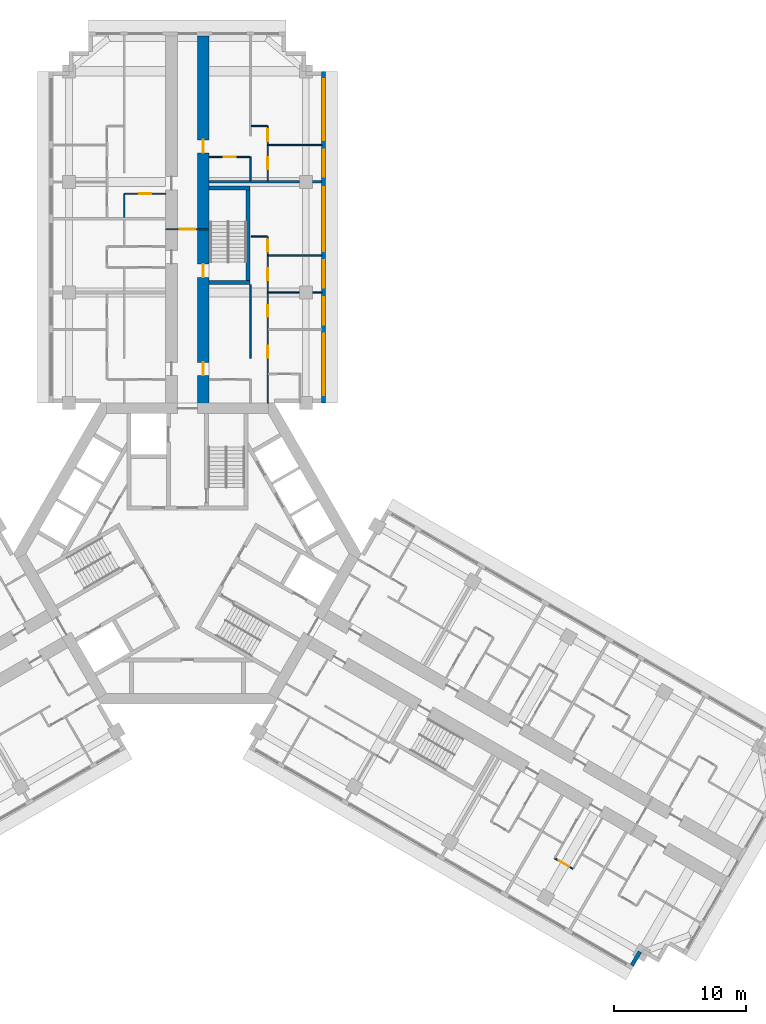
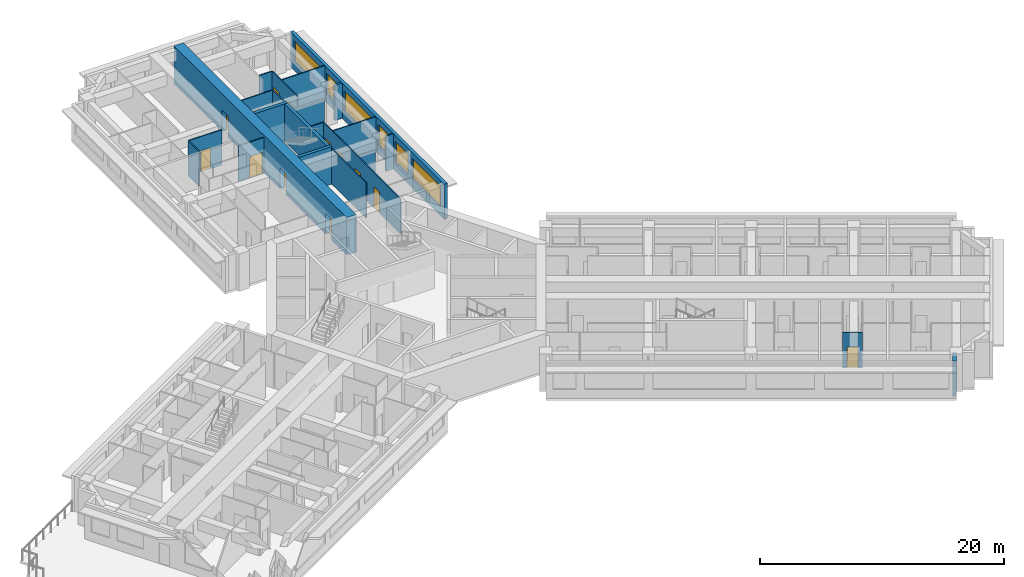
# One storey, part 10 of 15: 23 walls, 13 doors, 6 windows, 19 openings.
"""IFC4 building model written with IfcOpenShell, lengths in metres."""

import ifcopenshell
import ifcopenshell.guid

model = None  # the IFC model being written
_history = None  # IfcOwnerHistory: only IFC2X3 demands one
_inside = {}  # id of a spatial element -> (the spatial element, [elements in it])
_under = {}  # id of a project, library or spatial element -> (it, [spatial elements below it])
_declared = {}  # id of a project -> (the project, [libraries it declares])
_typed = {}  # id of a type object -> (the type object, [elements of that type])
_made_of = {}  # id of a material, layer set ... -> (it, [elements and type objects made of it])


def new_model(schema):
    """Start an empty IFC model of exactly this schema.

    Asked for "IFC4X3", IfcOpenShell would pick the latest addendum, in which some entities
    have other attributes; the version numbers below select the first issue.
    IFC2X3 requires an IfcOwnerHistory on every rooted entity: one is made here for all.
    """
    global model, _history
    if schema == "IFC4X3":
        model = ifcopenshell.file(schema_version=(4, 3, 0, 0))
    else:
        model = ifcopenshell.file(schema=schema)
    _inside.clear()
    _under.clear()
    _declared.clear()
    _typed.clear()
    _made_of.clear()
    _history = None
    if model.schema == "IFC2X3":
        org = make("IfcOrganization", Name="unknown")
        user = make(
            "IfcPersonAndOrganization",
            ThePerson=make("IfcPerson", FamilyName="unknown"),
            TheOrganization=org,
        )
        app = make(
            "IfcApplication",
            ApplicationDeveloper=org,
            Version="unknown",
            ApplicationFullName="unknown",
            ApplicationIdentifier="unknown",
        )
        _history = make(
            "IfcOwnerHistory",
            OwningUser=user,
            OwningApplication=app,
            ChangeAction="ADDED",
            CreationDate=0,
        )
    return model


def make(cls, **values):
    """One entity of the class cls with the attributes given. An attribute that is None is left unset."""
    return model.create_entity(
        cls, **{name: value for name, value in values.items() if value is not None}
    )


def rooted(cls, **values):
    """An entity with a GlobalId (a new one), such as an element, a storey or a relation."""
    return make(cls, GlobalId=ifcopenshell.guid.new(), OwnerHistory=_history, **values)


def si_unit(unit_type, name, prefix=None):
    """IfcSIUnit, for example si_unit("LENGTHUNIT", "METRE", prefix="MILLI")."""
    return make("IfcSIUnit", UnitType=unit_type, Prefix=prefix, Name=name)


def assignment(units):
    """IfcUnitAssignment: the units of a project."""
    return None if units is None else make("IfcUnitAssignment", Units=units)


def point(xyz):
    """IfcCartesianPoint."""
    return None if xyz is None else make("IfcCartesianPoint", Coordinates=xyz)


def direction(xyz):
    """IfcDirection."""
    return None if xyz is None else make("IfcDirection", DirectionRatios=xyz)


def frame(location, z_axis=None, x_axis=None):
    """IfcAxis2Placement3D, a coordinate frame: its origin and axes. An axis left out is left unset."""
    return make(
        "IfcAxis2Placement3D",
        Location=point(location),
        Axis=direction(z_axis),
        RefDirection=direction(x_axis),
    )


def frame_2d(location, x_axis=None):
    """IfcAxis2Placement2D, a coordinate frame in the plane: its origin and x axis."""
    return make(
        "IfcAxis2Placement2D", Location=point(location), RefDirection=direction(x_axis)
    )


def origin():
    """The frame at (0, 0, 0) with its axes left unset."""
    return frame((0.0, 0.0, 0.0))


def place(relative_to, where):
    """IfcLocalPlacement: puts the frame where relative to a parent placement (None: the world)."""
    return make(
        "IfcLocalPlacement", PlacementRelTo=relative_to, RelativePlacement=where
    )


def context(
    kind, dimensions, precision=None, world=None, true_north=None, identifier=None
):
    """IfcGeometricRepresentationContext, for example the 3D "Model" context."""
    return make(
        "IfcGeometricRepresentationContext",
        ContextIdentifier=identifier,
        ContextType=kind,
        CoordinateSpaceDimension=dimensions,
        Precision=precision,
        WorldCoordinateSystem=world,
        TrueNorth=true_north,
    )


def subcontext(parent, identifier, kind, view, scale=None):
    """IfcGeometricRepresentationSubContext, for example "Body" below "Model"."""
    return make(
        "IfcGeometricRepresentationSubContext",
        ContextIdentifier=identifier,
        ContextType=kind,
        ParentContext=parent,
        TargetScale=scale,
        TargetView=view,
    )


def project(units=None, contexts=None):
    """IfcProject with its units and contexts."""
    return rooted(
        "IfcProject",
        Name="project",
        RepresentationContexts=contexts,
        UnitsInContext=assignment(units),
    )


def spatial(cls, under=None, at=None, **own):
    """A site, building, storey or space (cls), placed at a placement, below another one or the project."""
    s = rooted(cls, ObjectPlacement=at, **own)
    if under is not None:
        _under.setdefault(under.id(), (under, []))[1].append(s)
    return s


def profile(cls, at=None, kind="AREA", **sizes):
    """A parametric profile (cls). Its sizes go by their IFC names, for example OverallWidth=200.0."""
    return make(cls, ProfileType=kind, Position=at, **sizes)


def rectangle(**sizes):
    """IfcRectangleProfileDef."""
    return profile("IfcRectangleProfileDef", **sizes)


def extrude(swept, where, along, depth):
    """IfcExtrudedAreaSolid: the profile swept, set in the frame where, extruded along a direction by depth."""
    return make(
        "IfcExtrudedAreaSolid",
        SweptArea=swept,
        Position=where,
        ExtrudedDirection=direction(along),
        Depth=depth,
    )


def shape(context_of_items, identifier, shape_type, items):
    """IfcShapeRepresentation: the items that make up one representation, for example the "Body"."""
    return make(
        "IfcShapeRepresentation",
        ContextOfItems=context_of_items,
        RepresentationIdentifier=identifier,
        RepresentationType=shape_type,
        Items=items,
    )


def material(Name=None, Category=None):
    """IfcMaterial."""
    return make("IfcMaterial", Name=Name, Category=Category)


def layer(
    of_material, thickness, ventilated=None, Name=None, Category=None, Priority=None
):
    """IfcMaterialLayer: one layer of a wall or slab, of a material (None: an air gap)."""
    return make(
        "IfcMaterialLayer",
        Material=of_material,
        LayerThickness=thickness,
        IsVentilated=ventilated,
        Name=Name,
        Category=Category,
        Priority=Priority,
    )


def layer_set(layers, Name=None):
    """IfcMaterialLayerSet."""
    return make("IfcMaterialLayerSet", MaterialLayers=layers, LayerSetName=Name)


def made_of(thing, what):
    """Note that an element or type object is made of a material, layer set ...; save() writes the relation."""
    if what is not None:
        _made_of.setdefault(what.id(), (what, []))[1].append(thing)
    return thing


def type_object(cls, material=None, **own):
    """A type object (cls), such as IfcWallType, which elements share."""
    return made_of(rooted(cls, **own), material)


def element(
    cls,
    number,
    at=None,
    inside=None,
    cuts=None,
    type_object=None,
    material=None,
    context=None,
    identifier="Body",
    shape_type=None,
    held_by="IfcProductDefinitionShape",
    body=None,
    shapes=None,
    **own,
):
    """One element of the class cls, such as IfcWall. Its Tag is "e" and its number.

    at: its placement. inside: the storey or other place that contains it. cuts: it is an
    opening in that element (IfcRelVoidsElement). A single representation is given by context,
    identifier, shape_type and body (its items); several are given by shapes. held_by: the class
    of the entity that holds the representations. save() writes the other relations.
    """
    e = rooted(cls, Tag="e%d" % number, ObjectPlacement=at, **own)
    if body is not None:
        shapes = [shape(context, identifier, shape_type, body)]
    if shapes is not None:
        e.Representation = make(held_by, Representations=shapes)
    if inside is not None:
        _inside.setdefault(inside.id(), (inside, []))[1].append(e)
    if cuts is not None:
        rooted(
            "IfcRelVoidsElement", RelatingBuildingElement=cuts, RelatedOpeningElement=e
        )
    if type_object is not None:
        _typed.setdefault(type_object.id(), (type_object, []))[1].append(e)
    return made_of(e, material)


def fill(opening, filler):
    """IfcRelFillsElement: the door or window that sits in an opening."""
    return rooted(
        "IfcRelFillsElement",
        RelatingOpeningElement=opening,
        RelatedBuildingElement=filler,
    )


def aggregate(whole, parts):
    """IfcRelAggregates: a whole, such as a stair, and the parts it consists of."""
    return rooted("IfcRelAggregates", RelatingObject=whole, RelatedObjects=parts)


def save(model, path):
    """Write the relations noted so far, then the file.

    IfcRelAggregates (storeys below a building ...), IfcRelContainedInSpatialStructure (elements
    in a storey), IfcRelDefinesByType, IfcRelAssociatesMaterial and IfcRelDeclares: one each for
    every whole, place, type object, material and project.
    """
    for whole, parts in _under.values():
        aggregate(whole, parts)
    for where, things in _inside.values():
        rooted(
            "IfcRelContainedInSpatialStructure",
            RelatedElements=things,
            RelatingStructure=where,
        )
    for kind, things in _typed.values():
        rooted("IfcRelDefinesByType", RelatedObjects=things, RelatingType=kind)
    for what, things in _made_of.values():
        rooted("IfcRelAssociatesMaterial", RelatedObjects=things, RelatingMaterial=what)
    for by, libraries in _declared.values():
        rooted("IfcRelDeclares", RelatingContext=by, RelatedDefinitions=libraries)
    model.write(path)


model = new_model("IFC4")

# Units and contexts
model_context = context("Model", 3, precision=1e-05, world=origin(), true_north=direction((0.0, 1.0)))
body_context = subcontext(model_context, "Body", "Model", "MODEL_VIEW")
ifc_project = project(units=[si_unit("LENGTHUNIT", "METRE"), si_unit("AREAUNIT", "SQUARE_METRE"), si_unit("VOLUMEUNIT", "CUBIC_METRE"), si_unit("PLANEANGLEUNIT", "RADIAN"), si_unit("MASSUNIT", "GRAM", prefix="KILO")], contexts=[model_context])

# Site, building, storey
site_placement = place(None, origin())
site = spatial("IfcSite", under=ifc_project, at=site_placement, CompositionType="ELEMENT")
building_placement = place(site_placement, origin())
building = spatial("IfcBuilding", under=site, at=building_placement, Name="Impinga Residences", CompositionType="ELEMENT")
storey_placement = place(building_placement, frame((0.0, 0.0, 132.25)))
storey = spatial("IfcBuildingStorey", under=building, at=storey_placement, Name="L32", CompositionType="ELEMENT", Elevation=132.25)

# Wall, openings, doors
ifc_material_1 = material(Name="Concrete C60/75", Category="concrete")
ifc_layer_1 = layer(ifc_material_1, 0.89990234375)
ifc_layer_set_1 = layer_set([ifc_layer_1], Name="Concrete C60/75")
wall_type_1 = type_object("IfcWallType", Name="BW2 corridor buttress wall, L24 to L44 900", PredefinedType="SHEAR", material=ifc_layer_set_1)
wall_1_placement = place(storey_placement, frame((1.199951171875, 11.031494140625, 0.0), z_axis=(0.0, 0.0, 1.0), x_axis=(0.0, 1.0, 0.0)))
wall_1 = element("IfcWall", 1, at=wall_1_placement, inside=storey, type_object=wall_type_1, Name="Corridor wall BW2 ND L32", PredefinedType="SHEAR", context=body_context, shape_type="SweptSolid", body=[
    extrude(rectangle(XDim=28.300048828125, YDim=0.89990234375, at=frame_2d((14.14990234375, 0.0))), origin(), (0.0, 0.0, 1.0), 3.75),
])
opening_1_placement = place(wall_1_placement, frame((9.949951171875, 0.0, 0.0)))
opening_1 = element("IfcOpeningElement", 2, at=opening_1_placement, cuts=wall_1, Name="Opening D5", PredefinedType="OPENING", context=body_context, shape_type="SweptSolid", body=[
    extrude(rectangle(XDim=1.0, YDim=2.10009765625, at=frame_2d((0.5, 1.050048828125))), frame((0.0, 0.4599609375, 0.0), z_axis=(0.0, -1.0, 0.0), x_axis=(1.0, 0.0, 0.0)), (0.0, 0.0, 1.0), 0.919921875),
])
opening_2_placement = place(wall_1_placement, frame((2.5, 0.0, 0.0)))
opening_2 = element("IfcOpeningElement", 3, at=opening_2_placement, cuts=wall_1, Name="Opening D1", PredefinedType="OPENING", context=body_context, shape_type="SweptSolid", body=[
    extrude(rectangle(XDim=1.0, YDim=2.10009765625, at=frame_2d((0.5, 1.050048828125))), frame((0.0, 0.4599609375, 0.0), z_axis=(0.0, -1.0, 0.0), x_axis=(1.0, 0.0, 0.0)), (0.0, 0.0, 1.0), 0.919921875),
])
opening_3_placement = place(wall_1_placement, frame((19.39990234375, 0.0, 0.0)))
opening_3 = element("IfcOpeningElement", 4, at=opening_3_placement, cuts=wall_1, Name="Opening D1", PredefinedType="OPENING", context=body_context, shape_type="SweptSolid", body=[
    extrude(rectangle(XDim=1.0, YDim=2.10009765625, at=frame_2d((0.5, 1.050048828125))), frame((0.0, 0.4599609375, 0.0), z_axis=(0.0, -1.0, 0.0), x_axis=(1.0, 0.0, 0.0)), (0.0, 0.0, 1.0), 0.919921875),
])
ifc_material_2 = material(Name="Timber door set", Category="wood")
door_type_1 = type_object("IfcDoorType", Name="D1 apartment entrance door 1000x2100", OperationType="SINGLE_SWING_LEFT", PredefinedType="DOOR", material=ifc_material_2)
door_1_placement = place(opening_2_placement, origin())
door_1 = element("IfcDoor", 5, at=door_1_placement, inside=storey, type_object=door_type_1, Name="Apartment L32-NF1 entrance", OperationType="SINGLE_SWING_LEFT", OverallHeight=2.10009765625, OverallWidth=1.0, PredefinedType="DOOR", context=body_context, shape_type="SweptSolid", body=[
    extrude(rectangle(XDim=1.0, YDim=2.10009765625, at=frame_2d((0.5, 1.050048828125))), frame((0.0, 0.02490234375, 0.0), z_axis=(0.0, -1.0, 0.0), x_axis=(1.0, 0.0, 0.0)), (0.0, 0.0, 1.0), 0.050048828125),
])
fill(opening_2, door_1)
door_2_placement = place(opening_3_placement, origin())
door_2 = element("IfcDoor", 6, at=door_2_placement, inside=storey, type_object=door_type_1, Name="Apartment L32-NF2 entrance", OperationType="SINGLE_SWING_RIGHT", OverallHeight=2.10009765625, OverallWidth=1.0, PredefinedType="DOOR", context=body_context, shape_type="SweptSolid", body=[
    extrude(rectangle(XDim=1.0, YDim=2.10009765625, at=frame_2d((0.5, 1.050048828125))), frame((0.0, 0.02490234375, 0.0), z_axis=(0.0, -1.0, 0.0), x_axis=(1.0, 0.0, 0.0)), (0.0, 0.0, 1.0), 0.050048828125),
])
fill(opening_3, door_2)
door_type_2 = type_object("IfcDoorType", Name="D5 stair door 1000x2100", OperationType="SINGLE_SWING_LEFT", PredefinedType="DOOR", material=ifc_material_2)
door_3_placement = place(opening_1_placement, origin())
door_3 = element("IfcDoor", 7, at=door_3_placement, inside=storey, type_object=door_type_2, Name="Wing stair door N", OperationType="SINGLE_SWING_LEFT", OverallHeight=2.10009765625, OverallWidth=1.0, PredefinedType="DOOR", context=body_context, shape_type="SweptSolid", body=[
    extrude(rectangle(XDim=1.0, YDim=2.10009765625, at=frame_2d((0.5, 1.050048828125))), frame((0.0, 0.02490234375, 0.0), z_axis=(0.0, -1.0, 0.0), x_axis=(1.0, 0.0, 0.0)), (0.0, 0.0, 1.0), 0.050048828125),
])
fill(opening_1, door_3)

# Wall, opening, door
ifc_material_3 = material(Name="Concrete blockwork", Category="masonry")
ifc_layer_2 = layer(ifc_material_3, 0.10009765625)
ifc_layer_set_2 = layer_set([ifc_layer_2], Name="CP1 core room partition, blockwork 100")
wall_type_2 = type_object("IfcWallType", Name="CP1 core room partition, blockwork 100", PredefinedType="PARTITIONING", material=ifc_layer_set_2)
wall_2_placement = place(storey_placement, frame((-1.64990234375, 24.631591796875, 0.0), z_axis=(0.0, 0.0, 1.0), x_axis=(1.0, 0.0, 0.0)))
wall_2 = element("IfcWall", 8, at=wall_2_placement, inside=storey, type_object=wall_type_2, Name="Core room partition, blockwork L32:N:PLB", PredefinedType="PARTITIONING", context=body_context, shape_type="SweptSolid", body=[
    extrude(rectangle(XDim=3.2998046875, YDim=0.10009765625, at=frame_2d((1.64990234375, 0.0))), origin(), (0.0, 0.0, 1.0), 3.530029296875),
])
opening_4_placement = place(wall_2_placement, frame((1.050048828125, 0.0, 0.0)))
opening_4 = element("IfcOpeningElement", 9, at=opening_4_placement, cuts=wall_2, Name="Opening D3", PredefinedType="OPENING", context=body_context, shape_type="SweptSolid", body=[
    extrude(rectangle(XDim=1.199951171875, YDim=2.10009765625, at=frame_2d((0.60009765625, 1.050048828125))), frame((0.0, 0.06005859375, 0.0), z_axis=(0.0, -1.0, 0.0), x_axis=(1.0, 0.0, 0.0)), (0.0, 0.0, 1.0), 0.1201171875),
])
door_type_3 = type_object("IfcDoorType", Name="D3 room door, leaf and a half 1200x2100", OperationType="DOUBLE_SWING_LEFT", PredefinedType="DOOR", material=ifc_material_2)
door_4_placement = place(opening_4_placement, origin())
door_4 = element("IfcDoor", 10, at=door_4_placement, inside=storey, type_object=door_type_3, Name="Private lobby door N", OperationType="DOUBLE_SWING_LEFT", OverallHeight=2.10009765625, OverallWidth=1.199951171875, PredefinedType="DOOR", context=body_context, shape_type="SweptSolid", body=[
    extrude(rectangle(XDim=1.199951171875, YDim=2.10009765625, at=frame_2d((0.60009765625, 1.050048828125))), frame((0.0, 0.02490234375, 0.0), z_axis=(0.0, -1.0, 0.0), x_axis=(1.0, 0.0, 0.0)), (0.0, 0.0, 1.0), 0.050048828125),
])
fill(opening_4, door_4)

# Wall
ifc_material_4 = material(Name="Terracotta rainscreen on blockwork", Category="masonry")
ifc_layer_3 = layer(ifc_material_4, 0.300048828125)
ifc_layer_set_3 = layer_set([ifc_layer_3], Name="EW1 external wall, terracotta rainscreen on blockwork 300")
wall_type_3 = type_object("IfcWallType", Name="EW1 external wall, terracotta rainscreen on blockwork 300", PredefinedType="SOLIDWALL", material=ifc_layer_set_3)
wall_3_placement = place(storey_placement, frame((34.365966796875, -30.2392578125, 0.0), z_axis=(0.0, 0.0, 1.0), x_axis=(-0.499940577336, -0.866059708757, 0.0)))
element("IfcWall", 11, at=wall_3_placement, inside=storey, type_object=wall_type_3, Name="External wall EW1 L32", PredefinedType="SOLIDWALL", context=body_context, shape_type="SweptSolid", body=[
    extrude(rectangle(XDim=1.195068359375, YDim=0.300048828125, at=frame_2d((0.59765625, 0.0))), origin(), (0.0, 0.0, 1.0), 3.530029296875),
])

# Wall, openings, windows
wall_4_placement = place(storey_placement, frame((10.35009765625, 36.631591796875, 0.0), z_axis=(0.0, 0.0, 1.0), x_axis=(0.0, -1.0, 0.0)))
wall_4 = element("IfcWall", 12, at=wall_4_placement, inside=storey, type_object=wall_type_3, Name="External wall EW1 L32", PredefinedType="SOLIDWALL", context=body_context, shape_type="SweptSolid", body=[
    extrude(rectangle(XDim=25.199951171875, YDim=0.300048828125, at=frame_2d((12.60009765625, 0.0))), origin(), (0.0, 0.0, 1.0), 3.530029296875),
])
opening_5_placement = place(wall_4_placement, frame((0.60009765625, 0.0, 0.89990234375)))
opening_5 = element("IfcOpeningElement", 13, at=opening_5_placement, cuts=wall_4, Name="Opening W10", PredefinedType="OPENING", context=body_context, shape_type="SweptSolid", body=[
    extrude(rectangle(XDim=4.64990234375, YDim=2.050048828125, at=frame_2d((2.324951171875, 1.02490234375))), frame((0.0, 0.159912109375, 0.0), z_axis=(0.0, -1.0, 0.0), x_axis=(1.0, 0.0, 0.0)), (0.0, 0.0, 1.0), 0.320068359375),
])
opening_6_placement = place(wall_4_placement, frame((5.949951171875, 0.0, 0.89990234375)))
opening_6 = element("IfcOpeningElement", 14, at=opening_6_placement, cuts=wall_4, Name="Opening W14", PredefinedType="OPENING", context=body_context, shape_type="SweptSolid", body=[
    extrude(rectangle(XDim=2.050048828125, YDim=2.050048828125, at=frame_2d((1.02490234375, 1.02490234375))), frame((0.0, 0.159912109375, 0.0), z_axis=(0.0, -1.0, 0.0), x_axis=(1.0, 0.0, 0.0)), (0.0, 0.0, 1.0), 0.320068359375),
])
opening_7_placement = place(wall_4_placement, frame((8.800048828125, 0.0, 0.89990234375)))
opening_7 = element("IfcOpeningElement", 15, at=opening_7_placement, cuts=wall_4, Name="Opening W6", PredefinedType="OPENING", context=body_context, shape_type="SweptSolid", body=[
    extrude(rectangle(XDim=4.85009765625, YDim=2.050048828125, at=frame_2d((2.425048828125, 1.02490234375))), frame((0.0, 0.159912109375, 0.0), z_axis=(0.0, -1.0, 0.0), x_axis=(1.0, 0.0, 0.0)), (0.0, 0.0, 1.0), 0.320068359375),
])
opening_8_placement = place(wall_4_placement, frame((14.35009765625, 0.0, 0.89990234375)))
opening_8 = element("IfcOpeningElement", 16, at=opening_8_placement, cuts=wall_4, Name="Opening W9", PredefinedType="OPENING", context=body_context, shape_type="SweptSolid", body=[
    extrude(rectangle(XDim=2.10009765625, YDim=2.050048828125, at=frame_2d((1.050048828125, 1.02490234375))), frame((0.0, 0.159912109375, 0.0), z_axis=(0.0, -1.0, 0.0), x_axis=(1.0, 0.0, 0.0)), (0.0, 0.0, 1.0), 0.320068359375),
])
opening_9_placement = place(wall_4_placement, frame((17.14990234375, 0.0, 0.89990234375)))
opening_9 = element("IfcOpeningElement", 17, at=opening_9_placement, cuts=wall_4, Name="Opening W9", PredefinedType="OPENING", context=body_context, shape_type="SweptSolid", body=[
    extrude(rectangle(XDim=2.10009765625, YDim=2.050048828125, at=frame_2d((1.050048828125, 1.02490234375))), frame((0.0, 0.159912109375, 0.0), z_axis=(0.0, -1.0, 0.0), x_axis=(1.0, 0.0, 0.0)), (0.0, 0.0, 1.0), 0.320068359375),
])
opening_10_placement = place(wall_4_placement, frame((19.949951171875, 0.0, 0.89990234375)))
opening_10 = element("IfcOpeningElement", 18, at=opening_10_placement, cuts=wall_4, Name="Opening W10", PredefinedType="OPENING", context=body_context, shape_type="SweptSolid", body=[
    extrude(rectangle(XDim=4.64990234375, YDim=2.050048828125, at=frame_2d((2.324951171875, 1.02490234375))), frame((0.0, 0.159912109375, 0.0), z_axis=(0.0, -1.0, 0.0), x_axis=(1.0, 0.0, 0.0)), (0.0, 0.0, 1.0), 0.320068359375),
])
ifc_material_5 = material(Name="Aluminium window, clear double glazing", Category="aluminium")
window_type_1 = type_object("IfcWindowType", Name="W10 ribbon window 4650x2050", PartitioningType="SINGLE_PANEL", PredefinedType="WINDOW", material=ifc_material_5)
window_1_placement = place(opening_5_placement, origin())
window_1 = element("IfcWindow", 19, at=window_1_placement, inside=storey, type_object=window_type_1, Name="Window L32", OverallHeight=2.050048828125, OverallWidth=4.64990234375, PartitioningType="SINGLE_PANEL", PredefinedType="WINDOW", context=body_context, shape_type="SweptSolid", body=[
    extrude(rectangle(XDim=4.64990234375, YDim=2.050048828125, at=frame_2d((2.324951171875, 1.02490234375))), frame((0.0, 0.030029296875, 0.0), z_axis=(0.0, -1.0, 0.0), x_axis=(1.0, 0.0, 0.0)), (0.0, 0.0, 1.0), 0.06005859375),
])
fill(opening_5, window_1)
window_2_placement = place(opening_10_placement, origin())
window_2 = element("IfcWindow", 20, at=window_2_placement, inside=storey, type_object=window_type_1, Name="Window L32", OverallHeight=2.050048828125, OverallWidth=4.64990234375, PartitioningType="SINGLE_PANEL", PredefinedType="WINDOW", context=body_context, shape_type="SweptSolid", body=[
    extrude(rectangle(XDim=4.64990234375, YDim=2.050048828125, at=frame_2d((2.324951171875, 1.02490234375))), frame((0.0, 0.030029296875, 0.0), z_axis=(0.0, -1.0, 0.0), x_axis=(1.0, 0.0, 0.0)), (0.0, 0.0, 1.0), 0.06005859375),
])
fill(opening_10, window_2)
window_type_2 = type_object("IfcWindowType", Name="W14 ribbon window 2050x2050", PartitioningType="SINGLE_PANEL", PredefinedType="WINDOW", material=ifc_material_5)
window_3_placement = place(opening_6_placement, origin())
window_3 = element("IfcWindow", 21, at=window_3_placement, inside=storey, type_object=window_type_2, Name="Window L32", OverallHeight=2.050048828125, OverallWidth=2.050048828125, PartitioningType="SINGLE_PANEL", PredefinedType="WINDOW", context=body_context, shape_type="SweptSolid", body=[
    extrude(rectangle(XDim=2.050048828125, YDim=2.050048828125, at=frame_2d((1.02490234375, 1.02490234375))), frame((0.0, 0.030029296875, 0.0), z_axis=(0.0, -1.0, 0.0), x_axis=(1.0, 0.0, 0.0)), (0.0, 0.0, 1.0), 0.06005859375),
])
fill(opening_6, window_3)
window_type_3 = type_object("IfcWindowType", Name="W6 ribbon window 4850x2050", PartitioningType="SINGLE_PANEL", PredefinedType="WINDOW", material=ifc_material_5)
window_4_placement = place(opening_7_placement, origin())
window_4 = element("IfcWindow", 22, at=window_4_placement, inside=storey, type_object=window_type_3, Name="Window L32", OverallHeight=2.050048828125, OverallWidth=4.85009765625, PartitioningType="SINGLE_PANEL", PredefinedType="WINDOW", context=body_context, shape_type="SweptSolid", body=[
    extrude(rectangle(XDim=4.85009765625, YDim=2.050048828125, at=frame_2d((2.425048828125, 1.02490234375))), frame((0.0, 0.030029296875, 0.0), z_axis=(0.0, -1.0, 0.0), x_axis=(1.0, 0.0, 0.0)), (0.0, 0.0, 1.0), 0.06005859375),
])
fill(opening_7, window_4)
window_type_4 = type_object("IfcWindowType", Name="W9 ribbon window 2100x2050", PartitioningType="SINGLE_PANEL", PredefinedType="WINDOW", material=ifc_material_5)
window_5_placement = place(opening_8_placement, origin())
window_5 = element("IfcWindow", 23, at=window_5_placement, inside=storey, type_object=window_type_4, Name="Window L32", OverallHeight=2.050048828125, OverallWidth=2.10009765625, PartitioningType="SINGLE_PANEL", PredefinedType="WINDOW", context=body_context, shape_type="SweptSolid", body=[
    extrude(rectangle(XDim=2.10009765625, YDim=2.050048828125, at=frame_2d((1.050048828125, 1.02490234375))), frame((0.0, 0.030029296875, 0.0), z_axis=(0.0, -1.0, 0.0), x_axis=(1.0, 0.0, 0.0)), (0.0, 0.0, 1.0), 0.06005859375),
])
fill(opening_8, window_5)
window_6_placement = place(opening_9_placement, origin())
window_6 = element("IfcWindow", 24, at=window_6_placement, inside=storey, type_object=window_type_4, Name="Window L32", OverallHeight=2.050048828125, OverallWidth=2.10009765625, PartitioningType="SINGLE_PANEL", PredefinedType="WINDOW", context=body_context, shape_type="SweptSolid", body=[
    extrude(rectangle(XDim=2.10009765625, YDim=2.050048828125, at=frame_2d((1.050048828125, 1.02490234375))), frame((0.0, 0.030029296875, 0.0), z_axis=(0.0, -1.0, 0.0), x_axis=(1.0, 0.0, 0.0)), (0.0, 0.0, 1.0), 0.06005859375),
])
fill(opening_9, window_6)

# Wall
ifc_material_6 = material(Name="Gypsum board on steel studs", Category="steel")
ifc_layer_4 = layer(ifc_material_6, 0.10009765625)
ifc_layer_set_4 = layer_set([ifc_layer_4], Name="Gypsum board on steel studs")
wall_type_4 = type_object("IfcWallType", Name="IP1 partition 100", PredefinedType="PARTITIONING", material=ifc_layer_set_4)
wall_5_placement = place(storey_placement, frame((-4.800048828125, 25.531494140625, 0.0), z_axis=(0.0, 0.0, 1.0), x_axis=(0.0, 1.0, 0.0)))
element("IfcWall", 25, at=wall_5_placement, inside=storey, type_object=wall_type_4, Name="Partition L32-NA3:DIV0", PredefinedType="PARTITIONING", context=body_context, shape_type="SweptSolid", body=[
    extrude(rectangle(XDim=1.800048828125, YDim=0.10009765625, at=frame_2d((0.89990234375, 0.0))), origin(), (0.0, 0.0, 1.0), 3.530029296875),
])

# Wall, opening, door
wall_6_placement = place(storey_placement, frame((-1.64990234375, 27.33154296875, 0.0), z_axis=(0.0, 0.0, 1.0), x_axis=(-1.0, 0.0, 0.0)))
wall_6 = element("IfcWall", 26, at=wall_6_placement, inside=storey, type_object=wall_type_4, Name="Partition L32-NA3:IB1", PredefinedType="PARTITIONING", context=body_context, shape_type="SweptSolid", body=[
    extrude(rectangle(XDim=3.10009765625, YDim=0.10009765625, at=frame_2d((1.550048828125, 0.0))), origin(), (0.0, 0.0, 1.0), 3.530029296875),
])
opening_11_placement = place(wall_6_placement, frame((1.10009765625, 0.0, 0.0)))
opening_11 = element("IfcOpeningElement", 27, at=opening_11_placement, cuts=wall_6, Name="Opening D2", PredefinedType="OPENING", context=body_context, shape_type="SweptSolid", body=[
    extrude(rectangle(XDim=0.89990234375, YDim=2.10009765625, at=frame_2d((0.449951171875, 1.050048828125))), frame((0.0, 0.06005859375, 0.0), z_axis=(0.0, -1.0, 0.0), x_axis=(1.0, 0.0, 0.0)), (0.0, 0.0, 1.0), 0.1201171875),
])
door_type_4 = type_object("IfcDoorType", Name="D2 internal door 900x2100", OperationType="SINGLE_SWING_LEFT", PredefinedType="DOOR", material=ifc_material_2)
door_5_placement = place(opening_11_placement, origin())
door_5 = element("IfcDoor", 28, at=door_5_placement, inside=storey, type_object=door_type_4, Name="Apartment L32-NA3 bathroom door", OperationType="SINGLE_SWING_LEFT", OverallHeight=2.10009765625, OverallWidth=0.89990234375, PredefinedType="DOOR", context=body_context, shape_type="SweptSolid", body=[
    extrude(rectangle(XDim=0.89990234375, YDim=2.10009765625, at=frame_2d((0.449951171875, 1.050048828125))), frame((0.0, 0.02490234375, 0.0), z_axis=(0.0, -1.0, 0.0), x_axis=(1.0, 0.0, 0.0)), (0.0, 0.0, 1.0), 0.050048828125),
])
fill(opening_11, door_5)

# Wall
wall_7_placement = place(storey_placement, frame((4.800048828125, 14.83154296875, 0.0), z_axis=(0.0, 0.0, 1.0), x_axis=(0.0, 1.0, 0.0)))
element("IfcWall", 29, at=wall_7_placement, inside=storey, type_object=wall_type_4, Name="Partition L32-NF1:DIV1", PredefinedType="PARTITIONING", context=body_context, shape_type="SweptSolid", body=[
    extrude(rectangle(XDim=5.60009765625, YDim=0.10009765625, at=frame_2d((2.800048828125, 0.0))), origin(), (0.0, 0.0, 1.0), 3.530029296875),
])

# Wall, openings, doors
wall_8_placement = place(storey_placement, frame((6.10009765625, 11.431640625, 0.0), z_axis=(0.0, 0.0, 1.0), x_axis=(0.0, 1.0, 0.0)))
wall_8 = element("IfcWall", 30, at=wall_8_placement, inside=storey, type_object=wall_type_4, Name="Partition L32-NF1:STRIP", PredefinedType="PARTITIONING", context=body_context, shape_type="SweptSolid", body=[
    extrude(rectangle(XDim=12.64990234375, YDim=0.10009765625, at=frame_2d((6.324951171875, 0.0))), origin(), (0.0, 0.0, 1.0), 3.530029296875),
])
opening_12_placement = place(wall_8_placement, frame((3.449951171875, 0.0, 0.0)))
opening_12 = element("IfcOpeningElement", 31, at=opening_12_placement, cuts=wall_8, Name="Opening D2", PredefinedType="OPENING", context=body_context, shape_type="SweptSolid", body=[
    extrude(rectangle(XDim=0.89990234375, YDim=2.10009765625, at=frame_2d((0.449951171875, 1.050048828125))), frame((0.0, 0.06005859375, 0.0), z_axis=(0.0, -1.0, 0.0), x_axis=(1.0, 0.0, 0.0)), (0.0, 0.0, 1.0), 0.1201171875),
])
opening_13_placement = place(wall_8_placement, frame((6.550048828125, 0.0, 0.0)))
opening_13 = element("IfcOpeningElement", 32, at=opening_13_placement, cuts=wall_8, Name="Opening D2", PredefinedType="OPENING", context=body_context, shape_type="SweptSolid", body=[
    extrude(rectangle(XDim=0.89990234375, YDim=2.10009765625, at=frame_2d((0.449951171875, 1.050048828125))), frame((0.0, 0.06005859375, 0.0), z_axis=(0.0, -1.0, 0.0), x_axis=(1.0, 0.0, 0.0)), (0.0, 0.0, 1.0), 0.1201171875),
])
opening_14_placement = place(wall_8_placement, frame((9.35009765625, 0.0, 0.0)))
opening_14 = element("IfcOpeningElement", 33, at=opening_14_placement, cuts=wall_8, Name="Opening D2", PredefinedType="OPENING", context=body_context, shape_type="SweptSolid", body=[
    extrude(rectangle(XDim=0.89990234375, YDim=2.10009765625, at=frame_2d((0.449951171875, 1.050048828125))), frame((0.0, 0.06005859375, 0.0), z_axis=(0.0, -1.0, 0.0), x_axis=(1.0, 0.0, 0.0)), (0.0, 0.0, 1.0), 0.1201171875),
])
opening_15_placement = place(wall_8_placement, frame((11.5, 0.0, 0.0)))
opening_15 = element("IfcOpeningElement", 34, at=opening_15_placement, cuts=wall_8, Name="Opening D2", PredefinedType="OPENING", context=body_context, shape_type="SweptSolid", body=[
    extrude(rectangle(XDim=0.89990234375, YDim=2.10009765625, at=frame_2d((0.449951171875, 1.050048828125))), frame((0.0, 0.06005859375, 0.0), z_axis=(0.0, -1.0, 0.0), x_axis=(1.0, 0.0, 0.0)), (0.0, 0.0, 1.0), 0.1201171875),
])
door_6_placement = place(opening_12_placement, origin())
door_6 = element("IfcDoor", 35, at=door_6_placement, inside=storey, type_object=door_type_4, Name="Apartment L32-NF1 room door", OperationType="SINGLE_SWING_LEFT", OverallHeight=2.10009765625, OverallWidth=0.89990234375, PredefinedType="DOOR", context=body_context, shape_type="SweptSolid", body=[
    extrude(rectangle(XDim=0.89990234375, YDim=2.10009765625, at=frame_2d((0.449951171875, 1.050048828125))), frame((0.0, 0.02490234375, 0.0), z_axis=(0.0, -1.0, 0.0), x_axis=(1.0, 0.0, 0.0)), (0.0, 0.0, 1.0), 0.050048828125),
])
fill(opening_12, door_6)
door_7_placement = place(opening_13_placement, origin())
door_7 = element("IfcDoor", 36, at=door_7_placement, inside=storey, type_object=door_type_4, Name="Apartment L32-NF1 room door", OperationType="SINGLE_SWING_RIGHT", OverallHeight=2.10009765625, OverallWidth=0.89990234375, PredefinedType="DOOR", context=body_context, shape_type="SweptSolid", body=[
    extrude(rectangle(XDim=0.89990234375, YDim=2.10009765625, at=frame_2d((0.449951171875, 1.050048828125))), frame((0.0, 0.02490234375, 0.0), z_axis=(0.0, -1.0, 0.0), x_axis=(1.0, 0.0, 0.0)), (0.0, 0.0, 1.0), 0.050048828125),
])
fill(opening_13, door_7)
door_8_placement = place(opening_14_placement, origin())
door_8 = element("IfcDoor", 37, at=door_8_placement, inside=storey, type_object=door_type_4, Name="Apartment L32-NF1 room door", OperationType="SINGLE_SWING_RIGHT", OverallHeight=2.10009765625, OverallWidth=0.89990234375, PredefinedType="DOOR", context=body_context, shape_type="SweptSolid", body=[
    extrude(rectangle(XDim=0.89990234375, YDim=2.10009765625, at=frame_2d((0.449951171875, 1.050048828125))), frame((0.0, 0.02490234375, 0.0), z_axis=(0.0, -1.0, 0.0), x_axis=(1.0, 0.0, 0.0)), (0.0, 0.0, 1.0), 0.050048828125),
])
fill(opening_14, door_8)
door_9_placement = place(opening_15_placement, origin())
door_9 = element("IfcDoor", 38, at=door_9_placement, inside=storey, type_object=door_type_4, Name="Apartment L32-NF1 room door", OperationType="SINGLE_SWING_RIGHT", OverallHeight=2.10009765625, OverallWidth=0.89990234375, PredefinedType="DOOR", context=body_context, shape_type="SweptSolid", body=[
    extrude(rectangle(XDim=0.89990234375, YDim=2.10009765625, at=frame_2d((0.449951171875, 1.050048828125))), frame((0.0, 0.02490234375, 0.0), z_axis=(0.0, -1.0, 0.0), x_axis=(1.0, 0.0, 0.0)), (0.0, 0.0, 1.0), 0.050048828125),
])
fill(opening_15, door_9)

# Walls
wall_9_placement = place(storey_placement, frame((4.85009765625, 24.08154296875, 0.0), z_axis=(0.0, 0.0, 1.0), x_axis=(1.0, 0.0, 0.0)))
element("IfcWall", 39, at=wall_9_placement, inside=storey, type_object=wall_type_4, Name="Partition L32-NF1:SE1", PredefinedType="PARTITIONING", context=body_context, shape_type="SweptSolid", body=[
    extrude(rectangle(XDim=1.199951171875, YDim=0.10009765625, at=frame_2d((0.60009765625, 0.0))), origin(), (0.0, 0.0, 1.0), 3.530029296875),
])
wall_10_placement = place(storey_placement, frame((6.14990234375, 19.83154296875, 0.0), z_axis=(0.0, 0.0, 1.0), x_axis=(1.0, 0.0, 0.0)))
element("IfcWall", 40, at=wall_10_placement, inside=storey, type_object=wall_type_4, Name="Partition L32-NF1:OB2", PredefinedType="PARTITIONING", context=body_context, shape_type="SweptSolid", body=[
    extrude(rectangle(XDim=2.35009765625, YDim=0.10009765625, at=frame_2d((1.175048828125, 0.0))), origin(), (0.0, 0.0, 1.0), 2.47998046875),
])
wall_11_placement = place(storey_placement, frame((9.5, 19.83154296875, 0.0), z_axis=(0.0, 0.0, 1.0), x_axis=(1.0, 0.0, 0.0)))
element("IfcWall", 41, at=wall_11_placement, inside=storey, type_object=wall_type_4, Name="Partition L32-NF1:OB2b", PredefinedType="PARTITIONING", context=body_context, shape_type="SweptSolid", body=[
    extrude(rectangle(XDim=0.699951171875, YDim=0.10009765625, at=frame_2d((0.35009765625, 0.0))), origin(), (0.0, 0.0, 1.0), 3.530029296875),
])
wall_12_placement = place(storey_placement, frame((6.14990234375, 22.631591796875, 0.0), z_axis=(0.0, 0.0, 1.0), x_axis=(1.0, 0.0, 0.0)))
element("IfcWall", 42, at=wall_12_placement, inside=storey, type_object=wall_type_4, Name="Partition L32-NF1:OB3", PredefinedType="PARTITIONING", context=body_context, shape_type="SweptSolid", body=[
    extrude(rectangle(XDim=4.050048828125, YDim=0.10009765625, at=frame_2d((2.02490234375, 0.0))), origin(), (0.0, 0.0, 1.0), 3.530029296875),
])
wall_13_placement = place(storey_placement, frame((4.800048828125, 28.33154296875, 0.0), z_axis=(0.0, 0.0, 1.0), x_axis=(0.0, 1.0, 0.0)))
element("IfcWall", 43, at=wall_13_placement, inside=storey, type_object=wall_type_4, Name="Partition L32-NF2:DIV0", PredefinedType="PARTITIONING", context=body_context, shape_type="SweptSolid", body=[
    extrude(rectangle(XDim=1.800048828125, YDim=0.10009765625, at=frame_2d((0.89990234375, 0.0))), origin(), (0.0, 0.0, 1.0), 3.530029296875),
])

# Wall, openings, doors
wall_14_placement = place(storey_placement, frame((6.10009765625, 28.33154296875, 0.0), z_axis=(0.0, 0.0, 1.0), x_axis=(0.0, 1.0, 0.0)))
wall_14 = element("IfcWall", 44, at=wall_14_placement, inside=storey, type_object=wall_type_4, Name="Partition L32-NF2:STRIP", PredefinedType="PARTITIONING", context=body_context, shape_type="SweptSolid", body=[
    extrude(rectangle(XDim=4.14990234375, YDim=0.10009765625, at=frame_2d((2.074951171875, 0.0))), origin(), (0.0, 0.0, 1.0), 3.530029296875),
])
opening_16_placement = place(wall_14_placement, frame((0.875, 0.0, 0.0)))
opening_16 = element("IfcOpeningElement", 45, at=opening_16_placement, cuts=wall_14, Name="Opening D2", PredefinedType="OPENING", context=body_context, shape_type="SweptSolid", body=[
    extrude(rectangle(XDim=0.89990234375, YDim=2.10009765625, at=frame_2d((0.449951171875, 1.050048828125))), frame((0.0, 0.06005859375, 0.0), z_axis=(0.0, -1.0, 0.0), x_axis=(1.0, 0.0, 0.0)), (0.0, 0.0, 1.0), 0.1201171875),
])
opening_17_placement = place(wall_14_placement, frame((3.0, 0.0, 0.0)))
opening_17 = element("IfcOpeningElement", 46, at=opening_17_placement, cuts=wall_14, Name="Opening D2", PredefinedType="OPENING", context=body_context, shape_type="SweptSolid", body=[
    extrude(rectangle(XDim=0.89990234375, YDim=2.10009765625, at=frame_2d((0.449951171875, 1.050048828125))), frame((0.0, 0.06005859375, 0.0), z_axis=(0.0, -1.0, 0.0), x_axis=(1.0, 0.0, 0.0)), (0.0, 0.0, 1.0), 0.1201171875),
])
door_10_placement = place(opening_16_placement, origin())
door_10 = element("IfcDoor", 47, at=door_10_placement, inside=storey, type_object=door_type_4, Name="Apartment L32-NF2 room door", OperationType="SINGLE_SWING_LEFT", OverallHeight=2.10009765625, OverallWidth=0.89990234375, PredefinedType="DOOR", context=body_context, shape_type="SweptSolid", body=[
    extrude(rectangle(XDim=0.89990234375, YDim=2.10009765625, at=frame_2d((0.449951171875, 1.050048828125))), frame((0.0, 0.02490234375, 0.0), z_axis=(0.0, -1.0, 0.0), x_axis=(1.0, 0.0, 0.0)), (0.0, 0.0, 1.0), 0.050048828125),
])
fill(opening_16, door_10)
door_11_placement = place(opening_17_placement, origin())
door_11 = element("IfcDoor", 48, at=door_11_placement, inside=storey, type_object=door_type_4, Name="Apartment L32-NF2 room door", OperationType="SINGLE_SWING_RIGHT", OverallHeight=2.10009765625, OverallWidth=0.89990234375, PredefinedType="DOOR", context=body_context, shape_type="SweptSolid", body=[
    extrude(rectangle(XDim=0.89990234375, YDim=2.10009765625, at=frame_2d((0.449951171875, 1.050048828125))), frame((0.0, 0.02490234375, 0.0), z_axis=(0.0, -1.0, 0.0), x_axis=(1.0, 0.0, 0.0)), (0.0, 0.0, 1.0), 0.050048828125),
])
fill(opening_17, door_11)

# Wall
wall_15_placement = place(storey_placement, frame((4.85009765625, 32.4814453125, 0.0), z_axis=(0.0, 0.0, 1.0), x_axis=(1.0, 0.0, 0.0)))
element("IfcWall", 49, at=wall_15_placement, inside=storey, type_object=wall_type_4, Name="Partition L32-NF2:SE1", PredefinedType="PARTITIONING", context=body_context, shape_type="SweptSolid", body=[
    extrude(rectangle(XDim=1.199951171875, YDim=0.10009765625, at=frame_2d((0.60009765625, 0.0))), origin(), (0.0, 0.0, 1.0), 3.530029296875),
])

# Wall, opening, door
wall_16_placement = place(storey_placement, frame((1.64990234375, 30.131591796875, 0.0), z_axis=(0.0, 0.0, 1.0), x_axis=(1.0, 0.0, 0.0)))
wall_16 = element("IfcWall", 50, at=wall_16_placement, inside=storey, type_object=wall_type_4, Name="Partition L32-NF2:IB1", PredefinedType="PARTITIONING", context=body_context, shape_type="SweptSolid", body=[
    extrude(rectangle(XDim=3.10009765625, YDim=0.10009765625, at=frame_2d((1.550048828125, 0.0))), origin(), (0.0, 0.0, 1.0), 3.530029296875),
])
opening_18_placement = place(wall_16_placement, frame((1.10009765625, 0.0, 0.0)))
opening_18 = element("IfcOpeningElement", 51, at=opening_18_placement, cuts=wall_16, Name="Opening D2", PredefinedType="OPENING", context=body_context, shape_type="SweptSolid", body=[
    extrude(rectangle(XDim=0.89990234375, YDim=2.10009765625, at=frame_2d((0.449951171875, 1.050048828125))), frame((0.0, 0.06005859375, 0.0), z_axis=(0.0, -1.0, 0.0), x_axis=(1.0, 0.0, 0.0)), (0.0, 0.0, 1.0), 0.1201171875),
])
door_12_placement = place(opening_18_placement, origin())
door_12 = element("IfcDoor", 52, at=door_12_placement, inside=storey, type_object=door_type_4, Name="Apartment L32-NF2 bathroom door", OperationType="SINGLE_SWING_LEFT", OverallHeight=2.10009765625, OverallWidth=0.89990234375, PredefinedType="DOOR", context=body_context, shape_type="SweptSolid", body=[
    extrude(rectangle(XDim=0.89990234375, YDim=2.10009765625, at=frame_2d((0.449951171875, 1.050048828125))), frame((0.0, 0.02490234375, 0.0), z_axis=(0.0, -1.0, 0.0), x_axis=(1.0, 0.0, 0.0)), (0.0, 0.0, 1.0), 0.050048828125),
])
fill(opening_18, door_12)

# Wall
wall_17_placement = place(storey_placement, frame((6.14990234375, 31.031494140625, 0.0), z_axis=(0.0, 0.0, 1.0), x_axis=(1.0, 0.0, 0.0)))
element("IfcWall", 53, at=wall_17_placement, inside=storey, type_object=wall_type_4, Name="Partition L32-NF2:OB1", PredefinedType="PARTITIONING", context=body_context, shape_type="SweptSolid", body=[
    extrude(rectangle(XDim=4.050048828125, YDim=0.10009765625, at=frame_2d((2.02490234375, 0.0))), origin(), (0.0, 0.0, 1.0), 3.530029296875),
])

# Wall, opening, door
wall_18_placement = place(storey_placement, frame((27.89453125, -23.1484375, 0.0), z_axis=(0.0, 0.0, 1.0), x_axis=(0.865989903783, -0.500061482766, 0.0)))
wall_18 = element("IfcWall", 54, at=wall_18_placement, inside=storey, type_object=wall_type_4, Name="Partition L32-EF3:STRIP", PredefinedType="PARTITIONING", context=body_context, shape_type="SweptSolid", body=[
    extrude(rectangle(XDim=1.599853515625, YDim=0.10009765625, at=frame_2d((0.7998046875, 0.0))), origin(), (0.0, 0.0, 1.0), 3.530029296875),
])
opening_19_placement = place(wall_18_placement, frame((0.35009765625, 0.0, 0.0)))
opening_19 = element("IfcOpeningElement", 55, at=opening_19_placement, cuts=wall_18, Name="Opening D2", PredefinedType="OPENING", context=body_context, shape_type="SweptSolid", body=[
    extrude(rectangle(XDim=0.89990234375, YDim=2.10009765625, at=frame_2d((0.449951171875, 1.050048828125))), frame((0.0, 0.06005859375, 0.0), z_axis=(0.0, -1.0, 0.0), x_axis=(1.0, 0.0, 0.0)), (0.0, 0.0, 1.0), 0.1201171875),
])
door_13_placement = place(opening_19_placement, origin())
door_13 = element("IfcDoor", 56, at=door_13_placement, inside=storey, type_object=door_type_4, Name="Apartment L32-EF3 room door", OperationType="SINGLE_SWING_LEFT", OverallHeight=2.10009765625, OverallWidth=0.89990234375, PredefinedType="DOOR", context=body_context, shape_type="SweptSolid", body=[
    extrude(rectangle(XDim=0.89990234375, YDim=2.10009765625, at=frame_2d((0.449951171875, 1.050048828125))), frame((0.0, 0.02490234375, 0.0), z_axis=(0.0, -1.0, 0.0), x_axis=(1.0, 0.0, 0.0)), (0.0, 0.0, 1.0), 0.050048828125),
])
fill(opening_19, door_13)

# Walls
ifc_layer_5 = layer(ifc_material_3, 0.199951171875)
ifc_layer_set_5 = layer_set([ifc_layer_5], Name="PW1 party wall between apartments 200")
wall_type_5 = type_object("IfcWallType", Name="PW1 party wall between apartments 200", PredefinedType="SOLIDWALL", material=ifc_layer_set_5)
wall_19_placement = place(storey_placement, frame((1.64990234375, 28.2314453125, 0.0), z_axis=(0.0, 0.0, 1.0), x_axis=(1.0, 0.0, 0.0)))
element("IfcWall", 57, at=wall_19_placement, inside=storey, type_object=wall_type_5, Name="Party wall between apartments L32-NF1:PARTY", PredefinedType="SOLIDWALL", context=body_context, shape_type="SweptSolid", body=[
    extrude(rectangle(XDim=6.85009765625, YDim=0.199951171875, at=frame_2d((3.425048828125, 0.0))), origin(), (0.0, 0.0, 1.0), 2.47998046875),
])
wall_20_placement = place(storey_placement, frame((9.5, 28.2314453125, 0.0), z_axis=(0.0, 0.0, 1.0), x_axis=(1.0, 0.0, 0.0)))
element("IfcWall", 58, at=wall_20_placement, inside=storey, type_object=wall_type_5, Name="Party wall between apartments L32-NF1:PARTYb", PredefinedType="SOLIDWALL", context=body_context, shape_type="SweptSolid", body=[
    extrude(rectangle(XDim=0.699951171875, YDim=0.199951171875, at=frame_2d((0.35009765625, 0.0))), origin(), (0.0, 0.0, 1.0), 3.530029296875),
])
ifc_layer_6 = layer(ifc_material_1, 0.300048828125)
ifc_layer_set_6 = layer_set([ifc_layer_6], Name="Concrete C60/75")
wall_type_6 = type_object("IfcWallType", Name="SE1 wing stair enclosure wall 300", PredefinedType="SOLIDWALL", material=ifc_layer_set_6)
for number, where, z_axis, x_axis, name in (
    (59, (1.64990234375, 20.58154296875, 0.0), (0.0, 0.0, 1.0), (1.0, 0.0, 0.0), "Stair enclosure wall SE1 N END0 L32"),
    (60, (1.64990234375, 27.781494140625, 0.0), (0.0, 0.0, 1.0), (1.0, 0.0, 0.0), "Stair enclosure wall SE1 N END1 L32"),
):
    element("IfcWall", number, at=place(storey_placement, frame(where, z_axis=z_axis, x_axis=x_axis)), inside=storey, type_object=wall_type_6, Name=name, PredefinedType="SOLIDWALL", context=body_context, shape_type="SweptSolid", body=[
        extrude(rectangle(XDim=3.10009765625, YDim=0.300048828125, at=frame_2d((1.550048828125, 0.0))), origin(), (0.0, 0.0, 1.0), 3.75),
    ])
wall_21_placement = place(storey_placement, frame((4.60009765625, 20.7314453125, 0.0), z_axis=(0.0, 0.0, 1.0), x_axis=(0.0, 1.0, 0.0)))
element("IfcWall", 61, at=wall_21_placement, inside=storey, type_object=wall_type_6, Name="Stair enclosure wall SE1 N OUT L32", PredefinedType="SOLIDWALL", context=body_context, shape_type="SweptSolid", body=[
    extrude(rectangle(XDim=6.900146484375, YDim=0.300048828125, at=frame_2d((3.4501953125, 0.0))), origin(), (0.0, 0.0, 1.0), 3.75),
])

save(model, "model.ifc")
